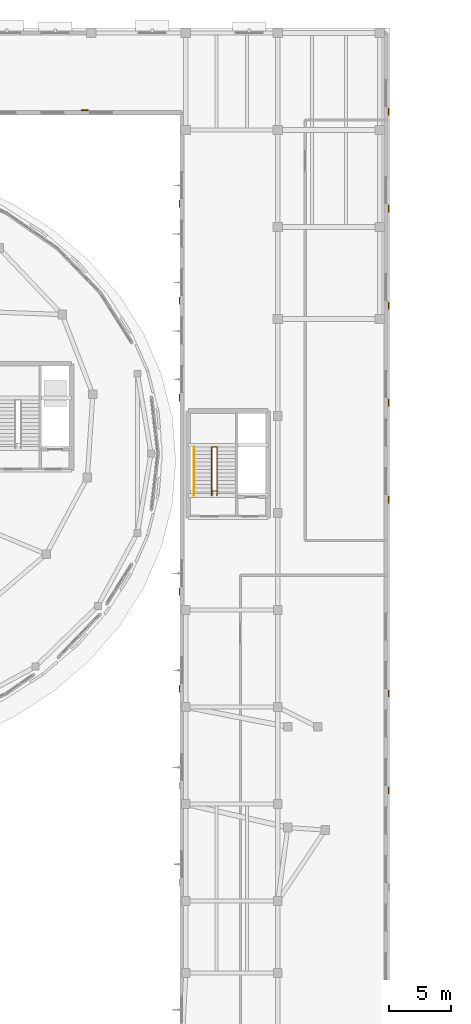
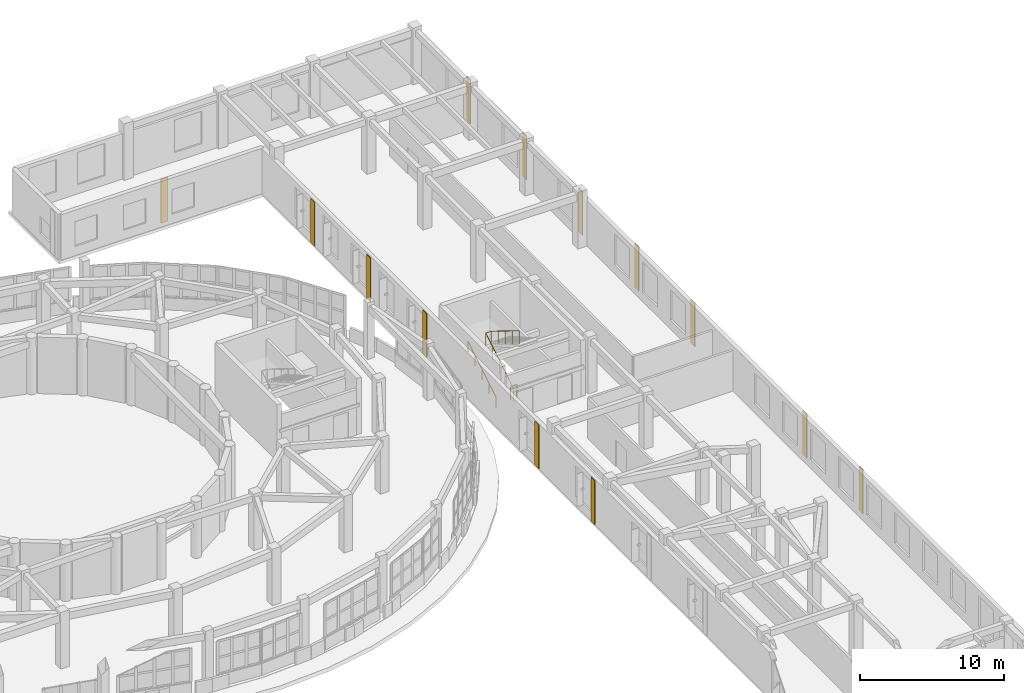
# One storey, part 97 of 98: 13 coverings, 3 railings.
"""IFC4 building model written with IfcOpenShell, lengths in metres."""

from ifc_helpers import new_model, si_unit, direction, frame, origin, origin_2d, place, context, subcontext, project, spatial, rectangle, circle, extrude, material, layer, layer_set, type_object, element, save


model = new_model("IFC4")

# Units and contexts
model_context = context("Model", 3, precision=1e-05, world=origin(), true_north=direction((0.0, 1.0)))
body_context = subcontext(model_context, "Body", "Model", "MODEL_VIEW")
ifc_project = project(units=[si_unit("LENGTHUNIT", "METRE"), si_unit("AREAUNIT", "SQUARE_METRE"), si_unit("VOLUMEUNIT", "CUBIC_METRE"), si_unit("PLANEANGLEUNIT", "RADIAN"), si_unit("MASSUNIT", "GRAM", prefix="KILO")], contexts=[model_context])

# Site, building, storey
site_placement = place(None, origin())
site = spatial("IfcSite", under=ifc_project, at=site_placement, CompositionType="ELEMENT")
building_placement = place(site_placement, origin())
building = spatial("IfcBuilding", under=site, at=building_placement, Name="Pelvatis Terrace Science Centre", CompositionType="ELEMENT")
storey_placement = place(building_placement, frame((0.0, 0.0, 5.39990234375)))
storey = spatial("IfcBuildingStorey", under=building, at=storey_placement, Name="L01", CompositionType="ELEMENT", Elevation=5.39990234375)

# Coverings
ifc_material_1 = material(Name="Fluted warm stone-aggregate precast facade relief panel", Category="masonry")
ifc_layer = layer(ifc_material_1, 0.054931640625)
ifc_layer_set = layer_set([ifc_layer], Name="Fluted warm stone-aggregate precast facade relief panel")
covering_type = type_object("IfcCoveringType", Name="COV-CLAD-PREC-55", PredefinedType="CLADDING", material=ifc_layer_set)
for number, where, z_axis, x_axis, name in (
    (1, (157.094970703125, 55.679931640625, 0.06005859375), (0.0, 0.0, 1.0), (1.0, 0.0, 0.0), "Classical fluted stone pilaster strip 14"),
    (2, (157.094970703125, 63.47998046875, 0.06005859375), (0.0, 0.0, 1.0), (1.0, 0.0, 0.0), "Classical fluted stone pilaster strip 15"),
    (3, (157.094970703125, 79.080078125, 0.06005859375), (0.0, 0.0, 1.0), (1.0, 0.0, 0.0), "Classical fluted stone pilaster strip 16"),
    (4, (157.094970703125, 86.8798828125, 0.06005859375), (0.0, 0.0, 1.0), (1.0, 0.0, 0.0), "Classical fluted stone pilaster strip 17"),
    (5, (157.094970703125, 94.679931640625, 0.06005859375), (0.0, 0.0, 1.0), (1.0, 0.0, 0.0), "Classical fluted stone pilaster strip 18"),
    (6, (157.094970703125, 102.47998046875, 0.06005859375), (0.0, 0.0, 1.0), (1.0, 0.0, 0.0), "Classical fluted stone pilaster strip 19"),
    (7, (157.094970703125, 110.280029296875, 0.06005859375), (0.0, 0.0, 1.0), (1.0, 0.0, 0.0), "Classical fluted stone pilaster strip 20"),
):
    element("IfcCovering", number, at=place(storey_placement, frame(where, z_axis=z_axis, x_axis=x_axis)), inside=storey, type_object=covering_type, Name=name, PredefinedType="CLADDING", context=body_context, shape_type="SweptSolid", body=[
        extrude(rectangle(XDim=0.054931640625, YDim=0.550048828125, at=origin_2d()), origin(), (0.0, 0.0, 1.0), 3.739990234375),
    ])
covering_placement = place(storey_placement, frame((132.679931640625, 110.387451171875, 0.06005859375), z_axis=(0.0, 0.0, 1.0), x_axis=(1.0, 0.0, 0.0)))
element("IfcCovering", 8, at=covering_placement, inside=storey, type_object=covering_type, Name="Classical fluted stone pilaster strip 24", PredefinedType="CLADDING", context=body_context, shape_type="SweptSolid", body=[
    extrude(rectangle(XDim=0.550048828125, YDim=0.054931640625, at=origin_2d()), origin(), (0.0, 0.0, 1.0), 3.739990234375),
])
for number, where, z_axis, x_axis, name in (
    (9, (140.29248046875, 63.8798828125, 0.06005859375), (0.0, 0.0, 1.0), (1.0, 0.0, 0.0), "Classical fluted stone pilaster strip 27"),
    (10, (140.29248046875, 71.679931640625, 0.06005859375), (0.0, 0.0, 1.0), (1.0, 0.0, 0.0), "Classical fluted stone pilaster strip 28"),
    (11, (140.29248046875, 87.280029296875, 0.06005859375), (0.0, 0.0, 1.0), (1.0, 0.0, 0.0), "Classical fluted stone pilaster strip 29"),
    (12, (140.29248046875, 95.080078125, 0.06005859375), (0.0, 0.0, 1.0), (1.0, 0.0, 0.0), "Classical fluted stone pilaster strip 30"),
    (13, (140.29248046875, 102.8798828125, 0.06005859375), (0.0, 0.0, 1.0), (1.0, 0.0, 0.0), "Classical fluted stone pilaster strip 31"),
):
    element("IfcCovering", number, at=place(storey_placement, frame(where, z_axis=z_axis, x_axis=x_axis)), inside=storey, type_object=covering_type, Name=name, PredefinedType="CLADDING", context=body_context, shape_type="SweptSolid", body=[
        extrude(rectangle(XDim=0.054931640625, YDim=0.550048828125, at=origin_2d()), origin(), (0.0, 0.0, 1.0), 3.739990234375),
    ])

# Railings
ifc_material_2 = material(Name="Brushed architectural bronze tubular railing", Category="steel")
railing_type_1 = type_object("IfcRailingType", Name="RLG-GRD-1120", PredefinedType="GUARDRAIL", material=ifc_material_2)
railing_1_placement = place(storey_placement, frame((142.8798828125, 79.39990234375, 0.0)))
element("IfcRailing", 14, at=railing_1_placement, inside=storey, type_object=railing_type_1, Name="Stair ST-03-L01 inner well guardrail", PredefinedType="GUARDRAIL", context=body_context, shape_type="SweptSolid", body=[
    extrude(circle(Radius=0.02392578125, at=origin_2d()), frame((0.0, 0.0, 1.09619140625), z_axis=(0.0, 0.851652825334, 0.524106349037), x_axis=(-1.0, 0.0, 0.0)), (0.0, 0.0, 1.0), 4.57958984375),
    extrude(circle(Radius=0.02392578125, at=origin_2d()), frame((0.0, 3.900146484375, 3.49609375), z_axis=(1.0, 0.0, 0.0), x_axis=(0.0, 1.0, 0.0)), (0.0, 0.0, 1.0), 0.440185546875),
    extrude(circle(Radius=0.02392578125, at=origin_2d()), frame((0.440185546875, 3.900146484375, 3.49609375), z_axis=(0.0, -0.851676621109, 0.524067679844), x_axis=(1.0, 0.0, 0.0)), (0.0, 0.0, 1.0), 4.579345703125),
    extrude(circle(Radius=0.02099609375, at=origin_2d()), origin(), (0.0, 0.0, 1.0), 1.072021484375),
    extrude(circle(Radius=0.02099609375, at=origin_2d()), frame((0.0, 0.97509765625, 0.60009765625)), (0.0, 0.0, 1.0), 1.072021484375),
    extrude(circle(Radius=0.02099609375, at=origin_2d()), frame((0.0, 1.9501953125, 1.2001953125)), (0.0, 0.0, 1.0), 1.072021484375),
    extrude(circle(Radius=0.02099609375, at=origin_2d()), frame((0.0, 2.925048828125, 1.800048828125)), (0.0, 0.0, 1.0), 1.072021484375),
    extrude(circle(Radius=0.02099609375, at=origin_2d()), frame((0.0, 3.900146484375, 2.400146484375)), (0.0, 0.0, 1.0), 1.072021484375),
    extrude(circle(Radius=0.02099609375, at=origin_2d()), frame((0.440185546875, 3.900146484375, 2.400146484375)), (0.0, 0.0, 1.0), 1.072021484375),
    extrude(circle(Radius=0.02099609375, at=origin_2d()), frame((0.440185546875, 2.925048828125, 3.0)), (0.0, 0.0, 1.0), 1.072021484375),
    extrude(circle(Radius=0.02099609375, at=origin_2d()), frame((0.440185546875, 1.9501953125, 3.60009765625)), (0.0, 0.0, 1.0), 1.072021484375),
    extrude(circle(Radius=0.02099609375, at=origin_2d()), frame((0.440185546875, 0.97509765625, 4.2001953125)), (0.0, 0.0, 1.0), 1.072021484375),
    extrude(circle(Radius=0.02099609375, at=origin_2d()), frame((0.440185546875, 0.0, 4.800048828125)), (0.0, 0.0, 1.0), 1.072021484375),
])
railing_2_placement = place(storey_placement, frame((142.85009765625, 79.780029296875, 0.0)))
element("IfcRailing", 15, at=railing_2_placement, inside=storey, type_object=railing_type_1, Name="Core C3 landing well slot guard (L01)", PredefinedType="GUARDRAIL", context=body_context, shape_type="SweptSolid", body=[
    extrude(circle(Radius=0.02392578125, at=origin_2d()), frame((0.0, 0.0, 1.09619140625), z_axis=(1.0, 0.0, 0.0), x_axis=(0.0, 1.0, 0.0)), (0.0, 0.0, 1.0), 0.5),
    extrude(circle(Radius=0.02099609375, at=origin_2d()), origin(), (0.0, 0.0, 1.0), 1.072021484375),
    extrude(circle(Radius=0.02099609375, at=origin_2d()), frame((0.5, 0.0, 0.0)), (0.0, 0.0, 1.0), 1.072021484375),
])
ifc_material_3 = material(Name="Brushed architectural bronze tubular railing", Category="steel")
railing_type_2 = type_object("IfcRailingType", Name="RLG-HND-0900", PredefinedType="HANDRAIL", material=ifc_material_3)
railing_3_placement = place(storey_placement, frame((141.4599609375, 79.39990234375, 0.0)))
element("IfcRailing", 16, at=railing_3_placement, inside=storey, type_object=railing_type_2, Name="Stair ST-03-L01 wall handrail", PredefinedType="HANDRAIL", context=body_context, shape_type="SweptSolid", body=[
    extrude(circle(Radius=0.02392578125, at=origin_2d()), frame((0.0, 0.0, 0.8759765625), z_axis=(0.0, 0.851652825334, 0.524106349037), x_axis=(-1.0, 0.0, 0.0)), (0.0, 0.0, 1.0), 4.57958984375),
    extrude(circle(Radius=0.02099609375, at=origin_2d()), origin(), (0.0, 0.0, 1.0), 0.851806640625),
    extrude(circle(Radius=0.02099609375, at=origin_2d()), frame((0.0, 0.97509765625, 0.60009765625)), (0.0, 0.0, 1.0), 0.851806640625),
    extrude(circle(Radius=0.02099609375, at=origin_2d()), frame((0.0, 1.9501953125, 1.2001953125)), (0.0, 0.0, 1.0), 0.851806640625),
    extrude(circle(Radius=0.02099609375, at=origin_2d()), frame((0.0, 2.925048828125, 1.800048828125)), (0.0, 0.0, 1.0), 0.851806640625),
    extrude(circle(Radius=0.02099609375, at=origin_2d()), frame((0.0, 3.900146484375, 2.400146484375)), (0.0, 0.0, 1.0), 0.851806640625),
])

save(model, "model.ifc")
